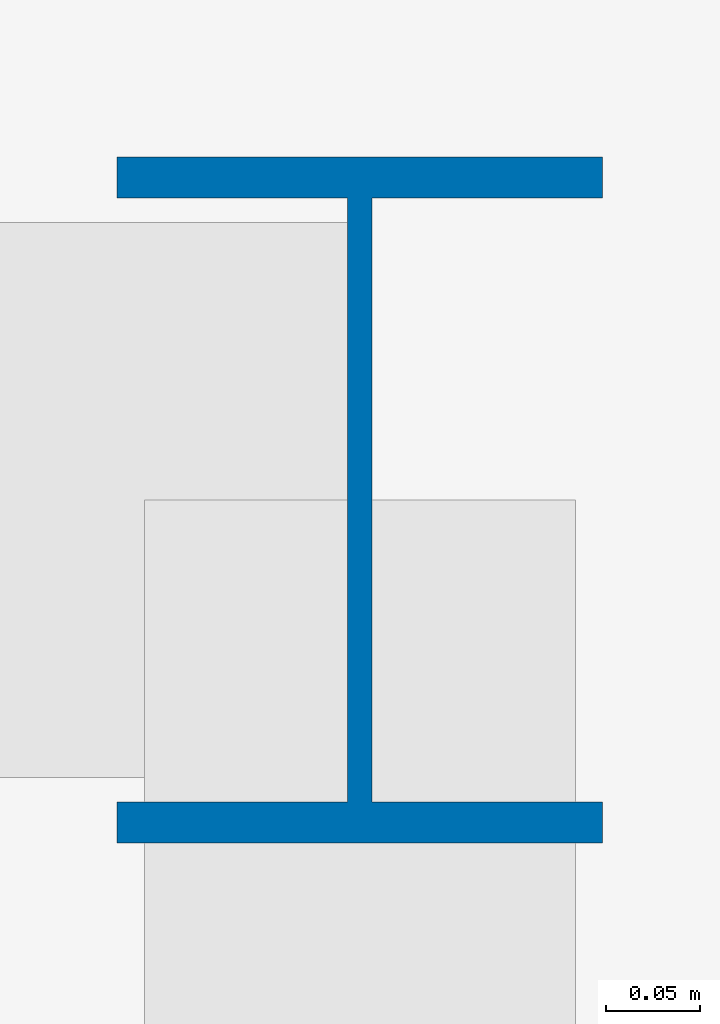
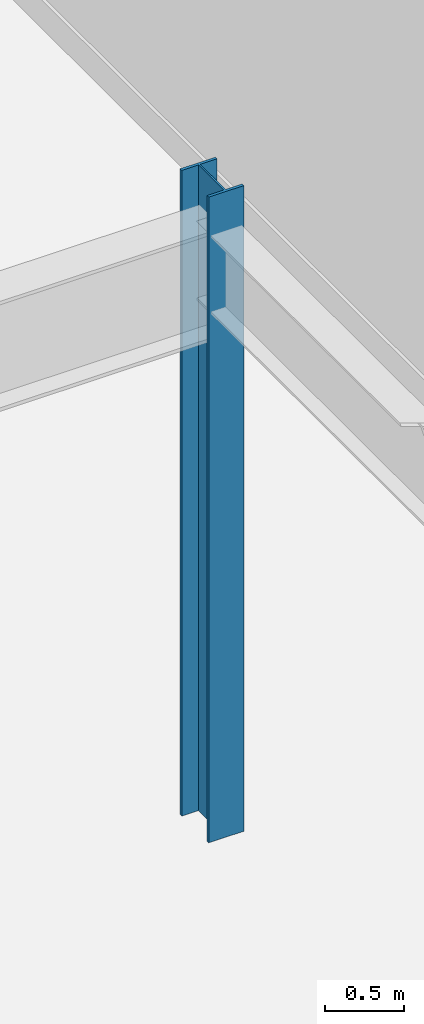
# One storey, part 5 of 40: 1 column.
"""IFC4 building model written with IfcOpenShell, lengths in metres."""

from ifc_helpers import new_model, si_unit, derived_unit, direction, frame, origin, origin_2d, place, context, subcontext, project, spatial, i_section, extrude, source, transform, mapped, material, material_profile, profile_set, type_object, element, save


model = new_model("IFC4")

# Units and contexts
model_context = context("Model", 3, precision=1e-05, world=origin(), true_north=direction((0.0, 1.0)))
body_context = subcontext(model_context, "Body", "Model", "MODEL_VIEW")
ifc_project = project(units=[si_unit("LENGTHUNIT", "METRE"), si_unit("AREAUNIT", "SQUARE_METRE"), si_unit("VOLUMEUNIT", "CUBIC_METRE"), si_unit("PLANEANGLEUNIT", "RADIAN"), si_unit("MASSUNIT", "GRAM", prefix="KILO"), derived_unit("THERMALTRANSMITTANCEUNIT", [(si_unit("POWERUNIT", "WATT"), 1), (si_unit("LENGTHUNIT", "METRE"), -2), (si_unit("THERMODYNAMICTEMPERATUREUNIT", "KELVIN"), -1)])], contexts=[model_context])

# Site, building, storey
site_placement = place(None, origin())
site = spatial("IfcSite", under=ifc_project, at=site_placement, CompositionType="ELEMENT")
building_placement = place(site_placement, origin())
building = spatial("IfcBuilding", under=site, at=building_placement, Name="Skarnbrae Concourse Arena and Tower", CompositionType="ELEMENT")
storey_placement = place(building_placement, frame((0.0, 0.0, 6.0)))
storey = spatial("IfcBuildingStorey", under=building, at=storey_placement, Name="L01", CompositionType="ELEMENT", Elevation=6.0)

# Column
ifc_material = material(Name="Steel CSA G40.21 350W", Category="steel")
ifc_material_profile = material_profile(ifc_material, i_section(OverallWidth=0.257080078125, OverallDepth=0.363037109375, WebThickness=0.012939453125, FlangeThickness=0.021728515625, at=origin_2d()), Name="W360X122")
ifc_profile_set = profile_set([ifc_material_profile], Name="Steel CSA G40.21 350W")
column_type = type_object("IfcColumnType", Name="COL-POD-W360X122", PredefinedType="COLUMN", material=ifc_profile_set)
shared_shape = source(origin(), body_context, "Body", "SweptSolid", [
    extrude(i_section(OverallWidth=0.257080078125, OverallDepth=0.363037109375, WebThickness=0.012939453125, FlangeThickness=0.021728515625, at=origin_2d()), origin(), (0.0, 0.0, 1.0), 5.0),
])
column_placement = place(storey_placement, frame((78.5, 47.0, 0.0), z_axis=(0.0, 0.0, 1.0), x_axis=(1.0, 0.0, 0.0)))
element("IfcColumn", 1, at=column_placement, inside=storey, type_object=column_type, Name="L01 Podium mega-column PC-EP4", PredefinedType="COLUMN", context=body_context, shape_type="MappedRepresentation", body=[
    mapped(shared_shape, transform((0.0, 0.0, 0.0))),
])

save(model, "model.ifc")
